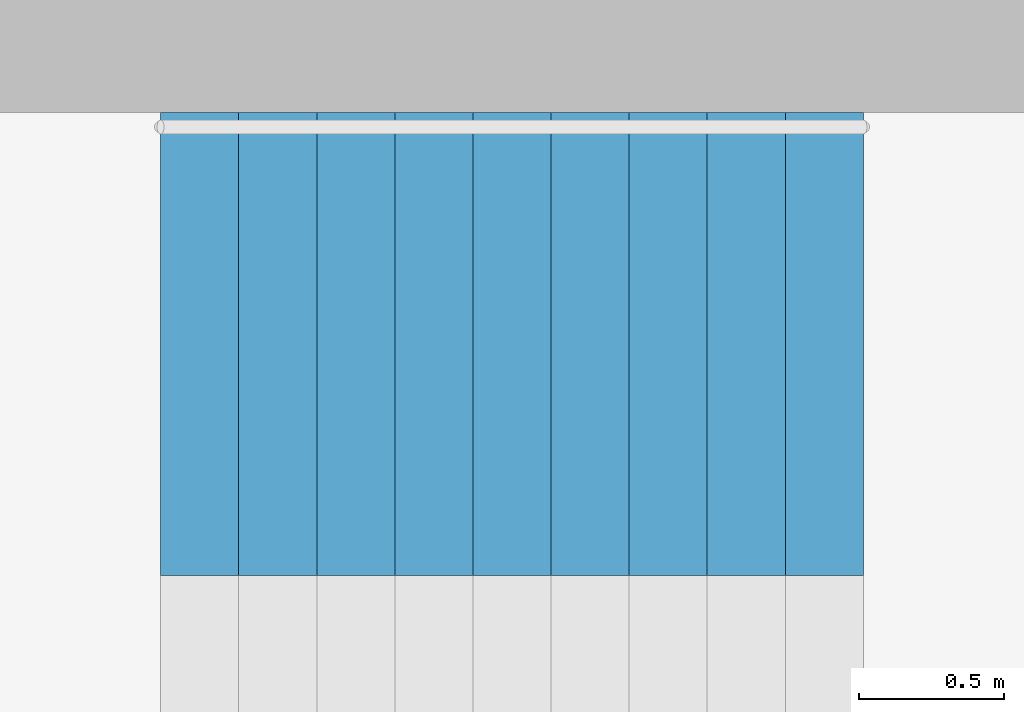
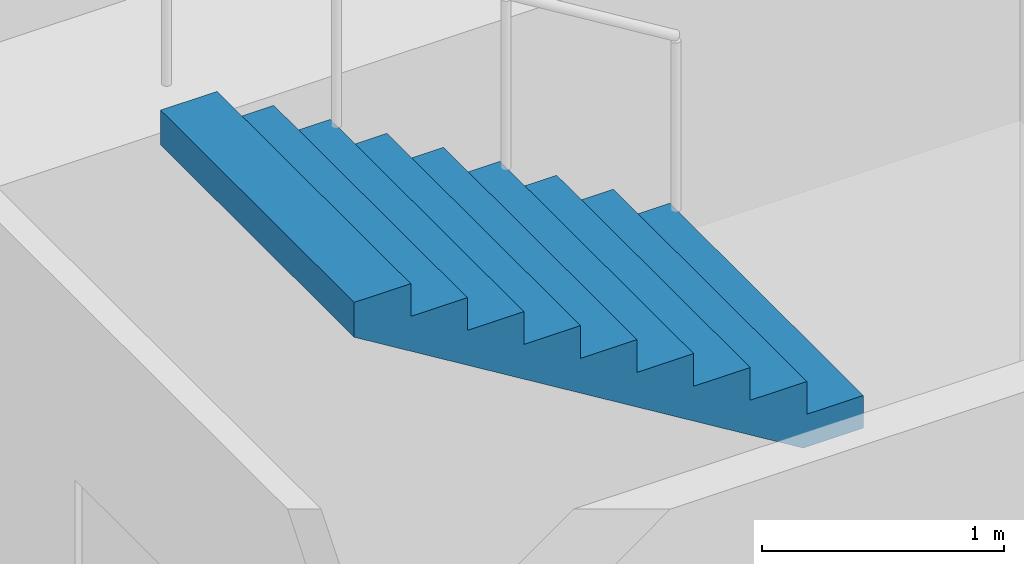
# One storey, part 10 of 13: 1 stair flight, 1 element without a shape of its own.
"""IFC4 building model written with IfcOpenShell, lengths in metres."""

from ifc_helpers import new_model, si_unit, direction, frame, origin, place, context, subcontext, project, spatial, polyline, outline, extrude, material, type_object, element, aggregate, save


model = new_model("IFC4")

# Units and contexts
model_context = context("Model", 3, precision=1e-05, world=origin(), true_north=direction((0.0, 1.0)))
body_context = subcontext(model_context, "Body", "Model", "MODEL_VIEW")
ifc_project = project(units=[si_unit("LENGTHUNIT", "METRE"), si_unit("AREAUNIT", "SQUARE_METRE"), si_unit("VOLUMEUNIT", "CUBIC_METRE"), si_unit("PLANEANGLEUNIT", "RADIAN"), si_unit("MASSUNIT", "GRAM", prefix="KILO")], contexts=[model_context])

# Site, building, storey
site_placement = place(None, origin())
site = spatial("IfcSite", under=ifc_project, at=site_placement, CompositionType="ELEMENT")
building_placement = place(site_placement, origin())
building = spatial("IfcBuilding", under=site, at=building_placement, Name="Taillehof Tower", CompositionType="ELEMENT")
storey_placement = place(building_placement, frame((0.0, 0.0, 34.89990234375)))
storey = spatial("IfcBuildingStorey", under=building, at=storey_placement, Name="L08", CompositionType="ELEMENT", Elevation=34.89990234375)

# Stair, stair flight
ifc_material_1 = material(Name="Concrete C40/50", Category="concrete")
stair_type = type_object("IfcStairType", Name="Exit stair half-turn", PredefinedType="HALF_TURN_STAIR", material=ifc_material_1)
stair_placement = place(storey_placement, origin())
stair = element("IfcStair", 1, at=stair_placement, inside=storey, type_object=stair_type, Name="Exit stair S1", PredefinedType="HALF_TURN_STAIR")
ifc_material_2 = material(Name="Concrete C40/50", Category="concrete")
stair_flight_type = type_object("IfcStairFlightType", Name="Stair flight 1600 riser 165.0 going 270", PredefinedType="STRAIGHT", material=ifc_material_2)
stair_flight_placement = place(storey_placement, frame((9.429931640625, 8.300048828125, 1.650146484375), z_axis=(0.0, 0.0, 1.0), x_axis=(-1.0, 0.0, 0.0)))
stair_flight = element("IfcStairFlight", 2, at=stair_flight_placement, type_object=stair_flight_type, Name="S1 flight 2", NumberOfRisers=10, NumberOfTreads=9, PredefinedType="STRAIGHT", RiserHeight=0.165, TreadLength=0.27, context=body_context, shape_type="SweptSolid", body=[
    extrude(outline(polyline([(0.0, 0.0), (0.0, 0.00537109375), (0.0, 0.0107421875), (0.0, 0.015869140625), (0.0, 0.021240234375), (0.0, 0.026611328125), (0.0, 0.031982421875), (0.0, 0.037353515625), (0.0, 0.04248046875), (0.0, 0.0478515625), (0.0, 0.05322265625), (0.0, 0.05859375), (0.0, 0.06396484375), (0.0, 0.069091796875), (0.0, 0.074462890625), (0.0, 0.079833984375), (0.0, 0.085205078125), (0.0, 0.090576171875), (0.0, 0.095703125), (0.0, 0.10107421875), (0.0, 0.1064453125), (0.0, 0.11181640625), (0.0, 0.1171875), (0.0, 0.122314453125), (0.0, 0.127685546875), (0.0, 0.133056640625), (0.0, 0.138427734375), (0.0, 0.143798828125), (0.0, 0.14892578125), (0.0, 0.154296875), (0.0, 0.15966796875), (0.0, 0.1650390625), (0.27001953125, 0.1650390625), (0.27001953125, 0.330078125), (0.5400390625, 0.330078125), (0.5400390625, 0.4951171875), (0.81005859375, 0.4951171875), (0.81005859375, 0.659912109375), (1.080078125, 0.659912109375), (1.080078125, 0.824951171875), (1.35009765625, 0.824951171875), (1.35009765625, 0.989990234375), (1.6201171875, 0.989990234375), (1.6201171875, 1.155029296875), (1.889892578125, 1.155029296875), (1.889892578125, 1.320068359375), (2.159912109375, 1.320068359375), (2.159912109375, 1.485107421875), (2.429931640625, 1.485107421875), (2.429931640625, 1.479248046875), (2.429931640625, 1.4736328125), (2.429931640625, 1.468017578125), (2.429931640625, 1.46240234375), (2.429931640625, 1.45654296875), (2.429931640625, 1.450927734375), (2.429931640625, 1.4453125), (2.429931640625, 1.439697265625), (2.429931640625, 1.43408203125), (2.429931640625, 1.42822265625), (2.429931640625, 1.422607421875), (2.429931640625, 1.4169921875), (2.429931640625, 1.411376953125), (2.429931640625, 1.40576171875), (2.429931640625, 1.39990234375), (2.429931640625, 1.394287109375), (2.429931640625, 1.388671875), (2.429931640625, 1.383056640625), (2.429931640625, 1.37744140625), (2.429931640625, 1.37158203125), (2.429931640625, 1.365966796875), (2.429931640625, 1.3603515625), (2.429931640625, 1.354736328125), (2.429931640625, 1.348876953125), (2.429931640625, 1.34326171875), (2.429931640625, 1.337646484375), (2.429931640625, 1.33203125), (2.429931640625, 1.326416015625), (2.429931640625, 1.320556640625), (2.429931640625, 1.31494140625), (2.429931640625, 1.309326171875), (0.287353515625, 0.0), (0.0, 0.0)])), frame((0.0, 0.800048828125, 0.0), z_axis=(0.0, -1.0, 0.0), x_axis=(1.0, 0.0, 0.0)), (0.0, 0.0, 1.0), 1.6),
])
aggregate(stair, [stair_flight])

save(model, "model.ifc")
